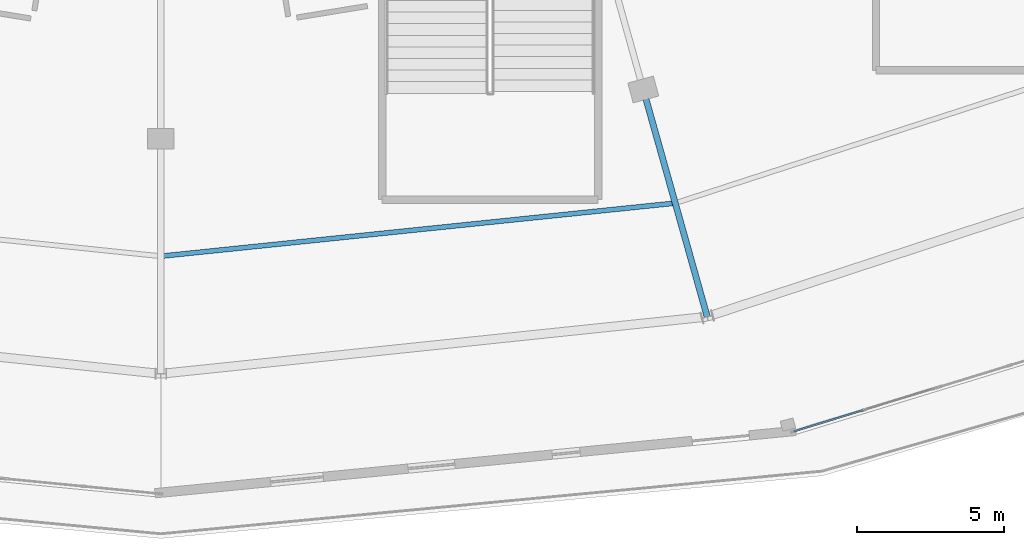
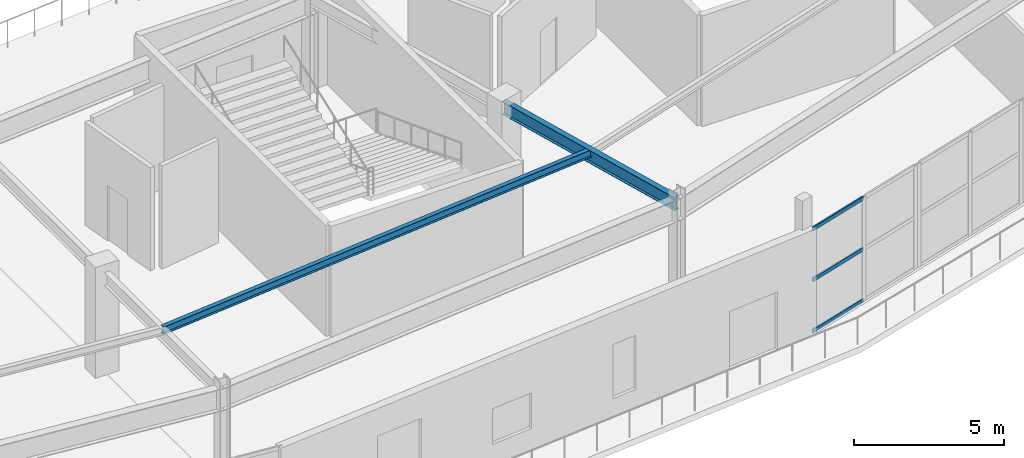
# One storey, part 35 of 123: 3 members, 2 beams, 1 element without a shape of its own.
"""IFC4 building model written with IfcOpenShell, lengths in metres."""

from ifc_helpers import new_model, si_unit, direction, frame, origin, origin_2d, place, context, subcontext, project, spatial, hollow_rectangle, i_section, extrude, material, layer, layer_set, material_profile, profile_set, type_object, element, aggregate, save


model = new_model("IFC4")

# Units and contexts
model_context = context("Model", 3, precision=1e-05, world=origin(), true_north=direction((0.0, 1.0)))
body_context = subcontext(model_context, "Body", "Model", "MODEL_VIEW")
ifc_project = project(units=[si_unit("LENGTHUNIT", "METRE"), si_unit("AREAUNIT", "SQUARE_METRE"), si_unit("VOLUMEUNIT", "CUBIC_METRE"), si_unit("PLANEANGLEUNIT", "RADIAN"), si_unit("MASSUNIT", "GRAM", prefix="KILO")], contexts=[model_context])

# Site, building, storey
site_placement = place(None, origin())
site = spatial("IfcSite", under=ifc_project, at=site_placement, CompositionType="ELEMENT")
building_placement = place(site_placement, origin())
building = spatial("IfcBuilding", under=site, at=building_placement, Name="Kalgoora Escarpment Arena", CompositionType="ELEMENT")
storey_placement = place(building_placement, frame((0.0, 0.0, 9.89990234375)))
storey = spatial("IfcBuildingStorey", under=building, at=storey_placement, Name="L02", CompositionType="ELEMENT", Elevation=9.89990234375)

# Beams
ifc_material_1 = material(Name="Structural steel AS/NZS 3679 (300 MPa)", Category="steel")
ifc_material_profile_1 = material_profile(ifc_material_1, i_section(OverallWidth=0.166015625, OverallDepth=0.306884765625, WebThickness=0.006591796875, FlangeThickness=0.01171875, at=origin_2d()))
ifc_profile_set_1 = profile_set([ifc_material_profile_1], Name="Structural steel AS/NZS 3679 (300 MPa)")
beam_type_1 = type_object("IfcBeamType", Name="BM-BEAM-310UB46.2", PredefinedType="BEAM", material=ifc_profile_set_1)
beam_1_placement = place(storey_placement, frame((92.39990234375, 11.0, 4.026611328125), z_axis=(0.99471538009, 0.10267089467, 0.0), x_axis=(-0.10267089467, 0.99471538009, 0.0)))
element("IfcBeam", 1, at=beam_1_placement, inside=storey, type_object=beam_type_1, Name="L02 Concourse secondary ring beam 310UB46.2", PredefinedType="BEAM", context=body_context, shape_type="SweptSolid", body=[
    extrude(i_section(OverallWidth=0.166015625, OverallDepth=0.306884765625, WebThickness=0.006591796875, FlangeThickness=0.01171875, at=origin_2d()), origin(), (0.0, 0.0, 1.0), 17.58935546875),
])
ifc_material_2 = material(Name="Structural steel AS/NZS 3679 (300 MPa)", Category="steel")
ifc_material_profile_2 = material_profile(ifc_material_2, i_section(OverallWidth=0.208984375, OverallDepth=0.528076171875, WebThickness=0.009521484375, FlangeThickness=0.01318359375, at=origin_2d()))
ifc_profile_set_2 = profile_set([ifc_material_profile_2], Name="Structural steel AS/NZS 3679 (300 MPa)")
beam_type_2 = type_object("IfcBeamType", Name="BM-GIRDER-530UB82.0", PredefinedType="USERDEFINED", material=ifc_profile_set_2)
beam_2_placement = place(storey_placement, frame((108.80908203125, 16.669677734375, 3.916015625), z_axis=(0.27082660355, -0.962628147734, 0.0), x_axis=(0.962628147734, 0.27082660355, 0.0)))
element("IfcBeam", 2, at=beam_2_placement, inside=storey, type_object=beam_type_2, Name="L02 Radial concourse girder 530UB82.0", ObjectType="GIRDER", PredefinedType="USERDEFINED", context=body_context, shape_type="SweptSolid", body=[
    extrude(i_section(OverallWidth=0.208984375, OverallDepth=0.528076171875, WebThickness=0.009521484375, FlangeThickness=0.01318359375, at=origin_2d()), origin(), (0.0, 0.0, 1.0), 8.027587890625),
])

# Curtain wall, members
ifc_material_3 = material(Name=" Champagne anodised aluminium & double-glazed low-E", Category="aluminium")
ifc_layer = layer(ifc_material_3, 0.157958984375)
ifc_layer_set = layer_set([ifc_layer], Name="CW-UNIT-07")
curtain_wall_type = type_object("IfcCurtainWallType", Name="CW-UNIT-07", PredefinedType="NOTDEFINED", material=ifc_layer_set)
curtain_wall_placement = place(storey_placement, origin())
curtain_wall = element("IfcCurtainWall", 3, at=curtain_wall_placement, inside=storey, type_object=curtain_wall_type, Name="L02 unitised facade curtain wall 046", PredefinedType="NOTDEFINED")
ifc_material_4 = material(Name="Anodised aluminium 6063-T6", Category="aluminium")
ifc_material_profile_3 = material_profile(ifc_material_4, hollow_rectangle(XDim=0.06005859375, YDim=0.14990234375, WallThickness=0.00341796875, at=origin_2d()))
ifc_profile_set_3 = profile_set([ifc_material_profile_3], Name="Anodised aluminium 6063-T6")
member_type = type_object("IfcMemberType", Name="MEM-CW-TRAN-150", PredefinedType="USERDEFINED", material=ifc_profile_set_3)
member_1_placement = place(storey_placement, frame((116.287353515625, 5.76318359375, 0.050048828125), z_axis=(-0.956189151682, -0.292749562263, 0.0), x_axis=(0.292749562263, -0.956189151682, 0.0)))
member_1 = element("IfcMember", 4, at=member_1_placement, type_object=member_type, Name="CW-07 transom 2.1", ObjectType="TRANSOM", PredefinedType="USERDEFINED", context=body_context, shape_type="SweptSolid", body=[
    extrude(hollow_rectangle(XDim=0.06005859375, YDim=0.14990234375, WallThickness=0.00341796875, at=origin_2d()), origin(), (0.0, 0.0, 1.0), 2.45263671875),
])
member_2_placement = place(storey_placement, frame((116.287353515625, 5.76318359375, 2.132568359375), z_axis=(-0.956189151682, -0.292749562263, 0.0), x_axis=(0.292749562263, -0.956189151682, 0.0)))
member_2 = element("IfcMember", 5, at=member_2_placement, type_object=member_type, Name="CW-07 transom 2.2", ObjectType="TRANSOM", PredefinedType="USERDEFINED", context=body_context, shape_type="SweptSolid", body=[
    extrude(hollow_rectangle(XDim=0.06005859375, YDim=0.14990234375, WallThickness=0.00341796875, at=origin_2d()), origin(), (0.0, 0.0, 1.0), 2.45263671875),
])
member_3_placement = place(storey_placement, frame((116.287353515625, 5.76318359375, 4.195068359375), z_axis=(-0.956189151682, -0.292749562263, 0.0), x_axis=(0.292749562263, -0.956189151682, 0.0)))
member_3 = element("IfcMember", 6, at=member_3_placement, type_object=member_type, Name="CW-07 transom 2.3", ObjectType="TRANSOM", PredefinedType="USERDEFINED", context=body_context, shape_type="SweptSolid", body=[
    extrude(hollow_rectangle(XDim=0.06005859375, YDim=0.14990234375, WallThickness=0.00341796875, at=origin_2d()), origin(), (0.0, 0.0, 1.0), 2.45263671875),
])
aggregate(curtain_wall, [member_1, member_2, member_3])

save(model, "model.ifc")
